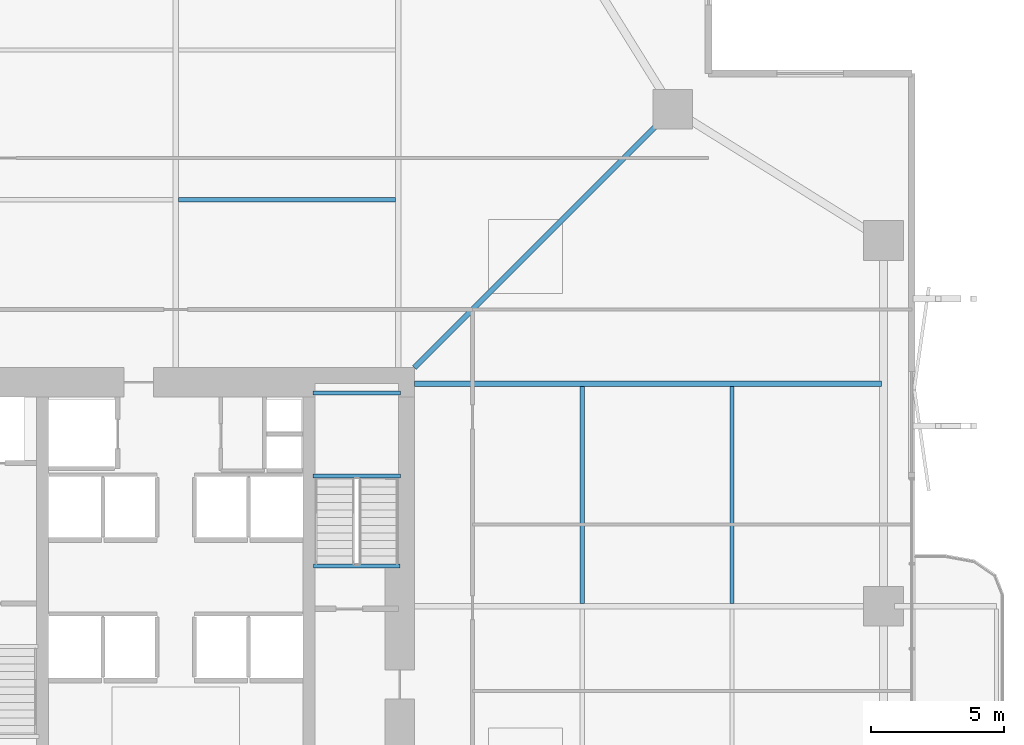
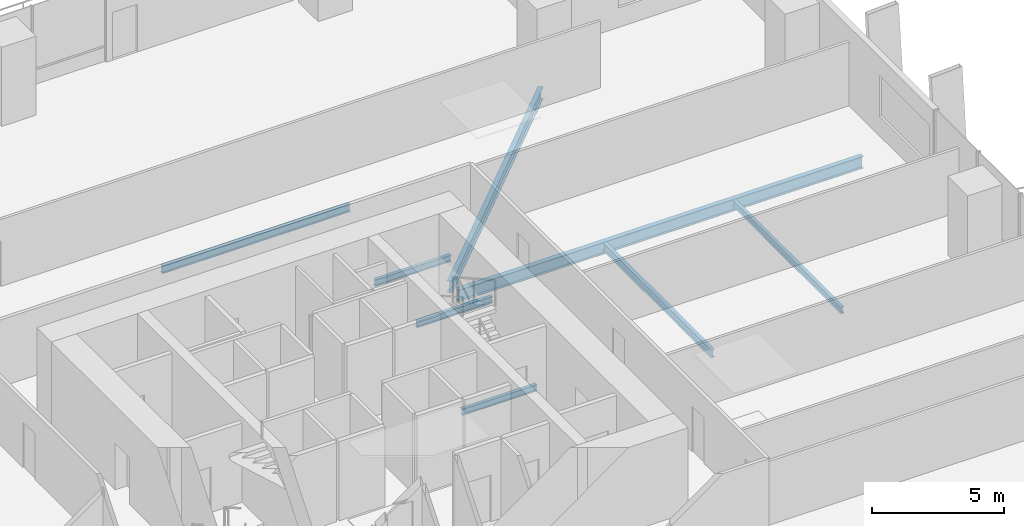
# One storey, part 12 of 23: 8 beams.
"""IFC4 building model written with IfcOpenShell, lengths in metres."""

from ifc_helpers import new_model, si_unit, direction, frame, origin, origin_2d, place, context, subcontext, project, spatial, i_section, extrude, material, material_profile, profile_set, type_object, element, save


model = new_model("IFC4")

# Units and contexts
model_context = context("Model", 3, precision=1e-05, world=origin(), true_north=direction((0.0, 1.0)))
body_context = subcontext(model_context, "Body", "Model", "MODEL_VIEW")
ifc_project = project(units=[si_unit("LENGTHUNIT", "METRE"), si_unit("AREAUNIT", "SQUARE_METRE"), si_unit("VOLUMEUNIT", "CUBIC_METRE"), si_unit("PLANEANGLEUNIT", "RADIAN"), si_unit("MASSUNIT", "GRAM", prefix="KILO")], contexts=[model_context])

# Site, building, storey
site_placement = place(None, origin())
site = spatial("IfcSite", under=ifc_project, at=site_placement, CompositionType="ELEMENT")
building_placement = place(site_placement, origin())
building = spatial("IfcBuilding", under=site, at=building_placement, Name="Belovzor Exchange Tower", CompositionType="ELEMENT")
storey_placement = place(building_placement, frame((0.0, 0.0, 65.10009765625)))
storey = spatial("IfcBuildingStorey", under=building, at=storey_placement, Name="L15", CompositionType="ELEMENT", Elevation=65.10009765625)

# Beams
ifc_material_1 = material(Name="Steel S355", Category="steel")
ifc_material_profile_1 = material_profile(ifc_material_1, i_section(OverallWidth=0.169921875, OverallDepth=0.360107421875, WebThickness=0.008056640625, FlangeThickness=0.0126953125, at=origin_2d()))
ifc_profile_set_1 = profile_set([ifc_material_profile_1], Name="Steel S355")
beam_type_1 = type_object("IfcBeamType", Name="Secondary Infill Floor Joist IPE 360", PredefinedType="BEAM", material=ifc_profile_set_1)
for number, where, z_axis, x_axis, name in (
    (1, (28.905029296875, 44.14501953125, -0.43017578125), (1.0, 0.0, 0.0), (0.0, 1.0, 0.0), "FJ-360 Secondary Infill Floor Joist IPE 360"),
    (2, (44.14501953125, 28.905029296875, -0.43017578125), (0.0, 1.0, 0.0), (-1.0, 0.0, 0.0), "FJ-360 Secondary Infill Floor Joist IPE 360"),
):
    element("IfcBeam", number, at=place(storey_placement, frame(where, z_axis=z_axis, x_axis=x_axis)), inside=storey, type_object=beam_type_1, Name=name, PredefinedType="BEAM", context=body_context, shape_type="SweptSolid", body=[
        extrude(i_section(OverallWidth=0.169921875, OverallDepth=0.360107421875, WebThickness=0.008056640625, FlangeThickness=0.0126953125, at=origin_2d()), origin(), (0.0, 0.0, 1.0), 8.18994140625),
    ])
ifc_material_2 = material(Name="Steel S355", Category="steel")
ifc_material_profile_2 = material_profile(ifc_material_2, i_section(OverallWidth=0.14990234375, OverallDepth=0.300048828125, WebThickness=0.007080078125, FlangeThickness=0.0107421875, at=origin_2d()))
ifc_profile_set_2 = profile_set([ifc_material_profile_2], Name="Steel S355")
beam_type_2 = type_object("IfcBeamType", Name="Secondary Trim Floor Joist IPE 300", PredefinedType="BEAM", material=ifc_profile_set_2)
for number, where, z_axis, x_axis, name in (
    (3, (37.280029296875, 33.7099609375, 1.599853515625), (-1.0, 0.0, 0.0), (0.0, -1.0, 0.0), "FJ-300 Secondary Trim Floor Joist IPE 300"),
    (4, (37.280029296875, 36.85009765625, 1.599853515625), (-1.0, 0.0, 0.0), (0.0, -1.0, 0.0), "FJ-300 Secondary Trim Floor Joist IPE 300"),
):
    element("IfcBeam", number, at=place(storey_placement, frame(where, z_axis=z_axis, x_axis=x_axis)), inside=storey, type_object=beam_type_2, Name=name, PredefinedType="BEAM", context=body_context, shape_type="SweptSolid", body=[
        extrude(i_section(OverallWidth=0.14990234375, OverallDepth=0.300048828125, WebThickness=0.007080078125, FlangeThickness=0.0107421875, at=origin_2d()), origin(), (0.0, 0.0, 1.0), 3.31005859375),
    ])
beam_1_placement = place(storey_placement, frame((37.260009765625, 30.320068359375, -0.400146484375), z_axis=(-1.0, 0.0, 0.0), x_axis=(0.0, -1.0, 0.0)))
element("IfcBeam", 5, at=beam_1_placement, inside=storey, type_object=beam_type_2, Name="FJ-300 Secondary Trim Floor Joist IPE 300", PredefinedType="BEAM", context=body_context, shape_type="SweptSolid", body=[
    extrude(i_section(OverallWidth=0.14990234375, OverallDepth=0.300048828125, WebThickness=0.007080078125, FlangeThickness=0.0107421875, at=origin_2d()), origin(), (0.0, 0.0, 1.0), 3.27001953125),
])
beam_2_placement = place(storey_placement, frame((49.784912109375, 28.905029296875, -0.400146484375), z_axis=(0.0, 1.0, 0.0), x_axis=(-1.0, 0.0, 0.0)))
element("IfcBeam", 6, at=beam_2_placement, inside=storey, type_object=beam_type_2, Name="FJ-300 Secondary Trim Floor Joist IPE 300", PredefinedType="BEAM", context=body_context, shape_type="SweptSolid", body=[
    extrude(i_section(OverallWidth=0.14990234375, OverallDepth=0.300048828125, WebThickness=0.007080078125, FlangeThickness=0.0107421875, at=origin_2d()), origin(), (0.0, 0.0, 1.0), 8.18994140625),
])
ifc_material_3 = material(Name="Steel S355", Category="steel")
ifc_material_profile_3 = material_profile(ifc_material_3, i_section(OverallWidth=0.2099609375, OverallDepth=0.550048828125, WebThickness=0.010986328125, FlangeThickness=0.01708984375, at=origin_2d()))
ifc_profile_set_3 = profile_set([ifc_material_profile_3], Name="Steel S355")
beam_type_3 = type_object("IfcBeamType", Name="Zone 1 Radial Composite Floor Beam IPE 550", PredefinedType="BEAM", material=ifc_profile_set_3)
beam_3_placement = place(storey_placement, frame((37.800048828125, 37.199951171875, -0.525146484375), z_axis=(1.0, 0.0, 0.0), x_axis=(0.0, 1.0, 0.0)))
element("IfcBeam", 7, at=beam_3_placement, inside=storey, type_object=beam_type_3, Name="FB-550 Zone 1 Radial Composite Floor Beam IPE 550", PredefinedType="BEAM", context=body_context, shape_type="SweptSolid", body=[
    extrude(i_section(OverallWidth=0.2099609375, OverallDepth=0.550048828125, WebThickness=0.010986328125, FlangeThickness=0.01708984375, at=origin_2d()), origin(), (0.0, 0.0, 1.0), 17.625),
])
beam_4_placement = place(storey_placement, frame((37.800048828125, 37.800048828125, -0.525146484375), z_axis=(0.707106781187, 0.707106781187, 0.0), x_axis=(-0.707106781187, 0.707106781187, 0.0)))
element("IfcBeam", 8, at=beam_4_placement, inside=storey, type_object=beam_type_3, Name="FB-550 Zone 1 Radial Composite Floor Beam IPE 550", PredefinedType="BEAM", context=body_context, shape_type="SweptSolid", body=[
    extrude(i_section(OverallWidth=0.2099609375, OverallDepth=0.550048828125, WebThickness=0.010986328125, FlangeThickness=0.01708984375, at=origin_2d()), origin(), (0.0, 0.0, 1.0), 13.25830078125),
])

save(model, "model.ifc")
